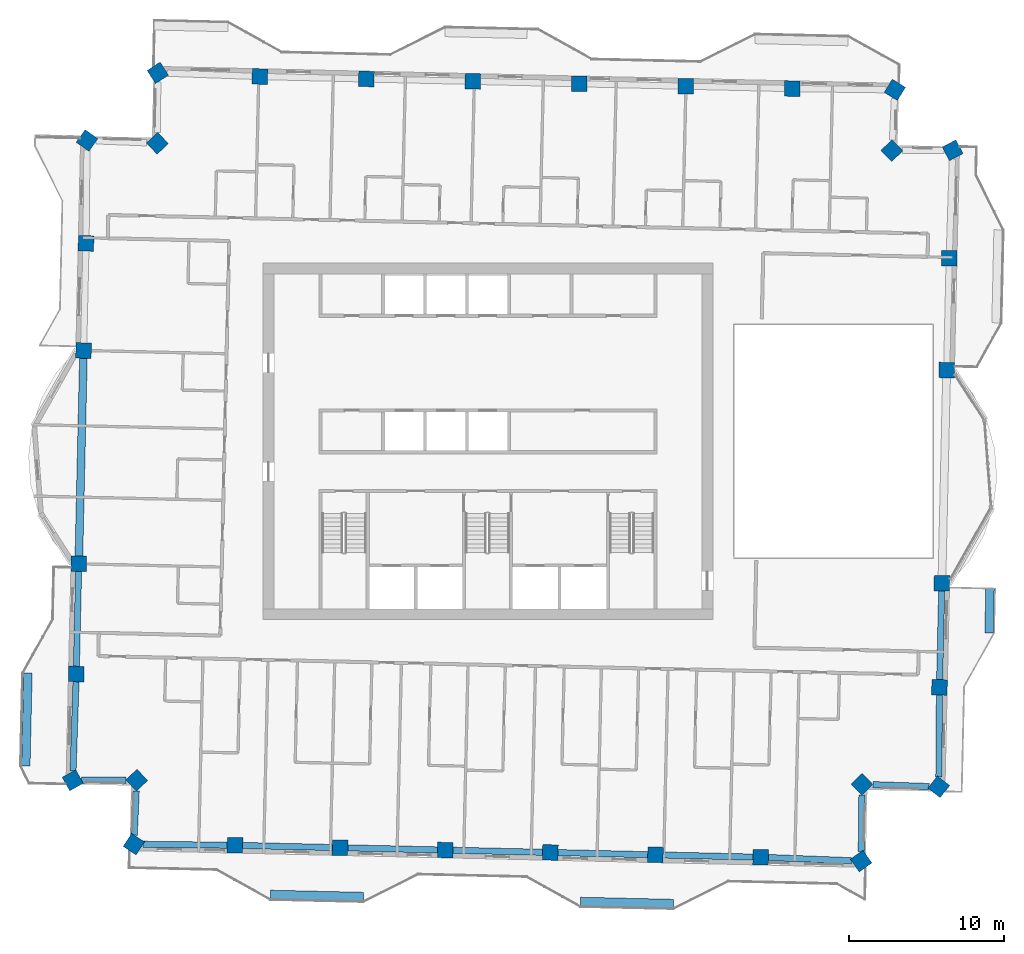
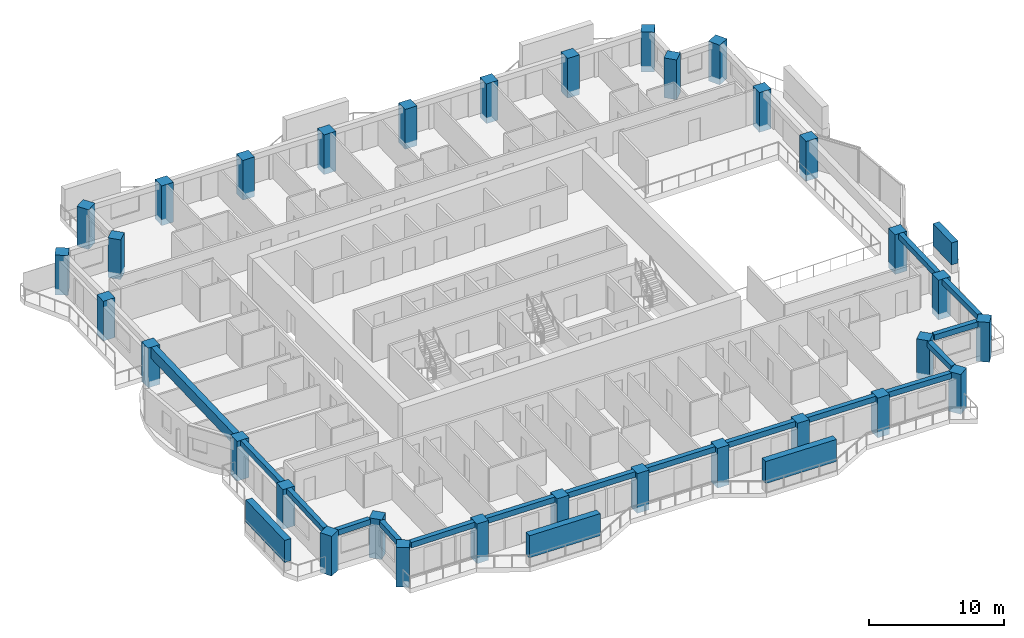
# One storey, part 1 of 17: 32 columns, 16 beams, 4 members.
"""IFC4 building model written with IfcOpenShell, lengths in metres."""

from ifc_helpers import new_model, si_unit, direction, frame, origin, origin_2d, place, context, subcontext, project, spatial, rectangle, extrude, material, material_profile, profile_set, type_object, element, save


model = new_model("IFC4")

# Units and contexts
model_context = context("Model", 3, precision=1e-05, world=origin(), true_north=direction((0.0, 1.0)))
body_context = subcontext(model_context, "Body", "Model", "MODEL_VIEW")
ifc_project = project(units=[si_unit("LENGTHUNIT", "METRE"), si_unit("AREAUNIT", "SQUARE_METRE"), si_unit("VOLUMEUNIT", "CUBIC_METRE"), si_unit("PLANEANGLEUNIT", "RADIAN"), si_unit("MASSUNIT", "GRAM", prefix="KILO")], contexts=[model_context])

# Site, building, storey
site_placement = place(None, origin())
site = spatial("IfcSite", under=ifc_project, at=site_placement, CompositionType="ELEMENT")
building_placement = place(site_placement, origin())
building = spatial("IfcBuilding", under=site, at=building_placement, Name="Mangrove Gate Tower", CompositionType="ELEMENT")
storey_placement = place(building_placement, frame((0.0, 0.0, 260.89990234375)))
storey = spatial("IfcBuildingStorey", under=building, at=storey_placement, Name="L66", CompositionType="ELEMENT", Elevation=260.89990234375)

# Columns
ifc_material_1 = material(Name="Concrete C60/75", Category="concrete")
ifc_material_profile_1 = material_profile(ifc_material_1, rectangle(XDim=1.0, YDim=1.0, at=origin_2d()))
ifc_profile_set_1 = profile_set([ifc_material_profile_1], Name="Concrete C60/75")
column_type = type_object("IfcColumnType", Name="Column RC 1000x1000 C60/75", PredefinedType="COLUMN", material=ifc_profile_set_1)
for number, where, z_axis, x_axis, name in (
    (1, (-26.385009765625, -7.892333984375, -0.5498046875), (0.0, 0.0, 1.0), (-0.022672414846, -0.999742947765, 0.0), "Column L66 W05"),
    (2, (-26.546142578125, -15.002197265625, -0.5498046875), (0.0, 0.0, 1.0), (-0.022636766921, -0.999743755561, 0.0), "Column L66 W06"),
    (3, (-26.770751953125, -21.857666015625, -0.5498046875), (0.0, 0.0, 1.0), (0.488846659431, -0.872369728706, 0.0), "Column L66 W07"),
    (4, (-22.646484375, -21.8515625, -0.5498046875), (0.0, 0.0, 1.0), (0.690844076144, -0.723003777622, 0.0), "Column L66 W08"),
    (5, (-22.8310546875, -25.97705078125, -0.5498046875), (0.0, 0.0, 1.0), (0.837962090781, -0.545728443838, 0.0), "Column L66 S01"),
    (6, (-16.312744140625, -26.050048828125, -0.5498046875), (0.0, 0.0, 1.0), (0.999742139886, -0.022708010396, 0.0), "Column L66 S02"),
    (7, (-9.53271484375, -26.2041015625, -0.5498046875), (0.0, 0.0, 1.0), (0.99974381087, -0.022634324086, 0.0), "Column L66 S03"),
    (8, (-2.752685546875, -26.357177734375, -0.5498046875), (0.0, 0.0, 1.0), (0.99974381087, -0.022634324086, 0.0), "Column L66 S04"),
    (9, (4.02734375, -26.51123046875, -0.5498046875), (0.0, 0.0, 1.0), (0.999742139886, -0.022708010396, 0.0), "Column L66 S05"),
    (10, (10.807373046875, -26.6650390625, -0.5498046875), (0.0, 0.0, 1.0), (0.999742139886, -0.022708010396, 0.0), "Column L66 S06"),
    (11, (17.58740234375, -26.819091796875, -0.5498046875), (0.0, 0.0, 1.0), (0.999742139886, -0.022708010396, 0.0), "Column L66 S07"),
    (12, (24.068359375, -27.06396484375, -0.5498046875), (0.0, 0.0, 1.0), (0.818120763293, 0.575046447402, 0.0), "Column L66 S08"),
    (13, (24.12353515625, -22.112548828125, -0.5498046875), (0.0, 0.0, 1.0), (0.722976563275, 0.690872556232, 0.0), "Column L66 E01"),
    (14, (29.073974609375, -22.2802734375, -0.5498046875), (0.0, 0.0, 1.0), (0.615428397343, 0.788192798586, 0.0), "Column L66 E02"),
    (15, (29.1201171875, -15.86572265625, -0.5498046875), (0.0, 0.0, 1.0), (0.022718026002, 0.999741912343, 0.0), "Column L66 E03"),
    (16, (29.273193359375, -9.154541015625, -0.5498046875), (0.0, 0.0, 1.0), (0.022723627062, 0.999741785049, 0.0), "Column L66 E04"),
    (17, (29.585205078125, 4.59228515625, -0.5498046875), (0.0, 0.0, 1.0), (0.022659642318, 0.999743237341, 0.0), "Column L66 E05"),
    (18, (29.748046875, 11.80224609375, -0.5498046875), (0.0, 0.0, 1.0), (0.0226694311, 0.999743015426, 0.0), "Column L66 E06"),
    (19, (29.96923828125, 18.76953125, -0.5498046875), (0.0, 0.0, 1.0), (-0.465021631321, 0.885299317973, 0.0), "Column L66 E07"),
    (20, (26.051513671875, 18.74658203125, -0.5498046875), (0.0, 0.0, 1.0), (-0.690925538708, 0.722925929788, 0.0), "Column L66 E08"),
    (21, (26.24267578125, 22.664794921875, -0.5498046875), (0.0, 0.0, 1.0), (-0.852456548942, 0.522798079727, 0.0), "Column L66 N01"),
    (22, (19.626708984375, 22.7470703125, -0.5498046875), (0.0, 0.0, 1.0), (-0.999741985691, 0.022714797976, 0.0), "Column L66 N02"),
    (23, (12.7607421875, 22.903076171875, -0.5498046875), (0.0, 0.0, 1.0), (-0.999741948423, 0.022716438162, 0.0), "Column L66 N03"),
    (24, (5.895751953125, 23.05908203125, -0.5498046875), (0.0, 0.0, 1.0), (-0.999741948423, 0.022716438162, 0.0), "Column L66 N04"),
    (25, (-0.97021484375, 23.215087890625, -0.5498046875), (0.0, 0.0, 1.0), (-0.999743636626, 0.022642019015, 0.0), "Column L66 N05"),
    (26, (-7.83642578125, 23.3701171875, -0.5498046875), (0.0, 0.0, 1.0), (-0.999743599083, 0.022643676653, 0.0), "Column L66 N06"),
    (27, (-14.701416015625, 23.526123046875, -0.5498046875), (0.0, 0.0, 1.0), (-0.999741948423, 0.022716438162, 0.0), "Column L66 N07"),
    (28, (-21.287353515625, 23.760498046875, -0.5498046875), (0.0, 0.0, 1.0), (-0.843247759492, -0.53752508417, 0.0), "Column L66 N08"),
    (29, (-21.314453125, 19.221435546875, -0.5498046875), (0.0, 0.0, 1.0), (-0.722988982899, -0.690859559249, 0.0), "Column L66 W01"),
    (30, (-25.84912109375, 19.401611328125, -0.5498046875), (0.0, 0.0, 1.0), (-0.572799342172, -0.819695622538, 0.0), "Column L66 W02"),
    (31, (-25.916015625, 12.765625, -0.5498046875), (0.0, 0.0, 1.0), (-0.022711552501, -0.999742059425, 0.0), "Column L66 W03"),
    (32, (-26.0732421875, 5.854736328125, -0.5498046875), (0.0, 0.0, 1.0), (-0.022697227041, -0.99974238476, 0.0), "Column L66 W04"),
):
    element("IfcColumn", number, at=place(storey_placement, frame(where, z_axis=z_axis, x_axis=x_axis)), inside=storey, type_object=column_type, Name=name, PredefinedType="COLUMN", context=body_context, shape_type="SweptSolid", body=[
        extrude(rectangle(XDim=1.0, YDim=1.0, at=origin_2d()), origin(), (0.0, 0.0, 1.0), 3.599853515625),
    ])

# Members
ifc_material_2 = material(Name="Planting on aluminium trellis", Category="aluminium")
ifc_material_profile_2 = material_profile(ifc_material_2, rectangle(XDim=0.550048828125, YDim=2.0, at=origin_2d()))
ifc_profile_set_2 = profile_set([ifc_material_profile_2], Name="Planting on aluminium trellis")
member_type = type_object("IfcMemberType", Name="Balcony greenery screen 550x2000", PredefinedType="USERDEFINED", material=ifc_profile_set_2)
member_1_placement = place(storey_placement, frame((32.31591796875, -12.35009765625, 1.800048828125), z_axis=(0.022675106248, 0.999742886725, 0.0), x_axis=(-0.999742886725, 0.022675106248, 0.0)))
element("IfcMember", 33, at=member_1_placement, inside=storey, type_object=member_type, Name="GREEN SCREEN L66 E0.1", ObjectType="PLANTING", PredefinedType="USERDEFINED", context=body_context, shape_type="SweptSolid", body=[
    extrude(rectangle(XDim=0.550048828125, YDim=2.0, at=origin_2d()), origin(), (0.0, 0.0, 1.0), 2.874755859375),
])
member_2_placement = place(storey_placement, frame((-29.797119140625, -20.94189453125, 1.800048828125), z_axis=(0.022707539383, 0.999742150584, 0.0), x_axis=(-0.999742150584, 0.022707539383, 0.0)))
element("IfcMember", 34, at=member_2_placement, inside=storey, type_object=member_type, Name="GREEN SCREEN L66 W1.1", ObjectType="PLANTING", PredefinedType="USERDEFINED", context=body_context, shape_type="SweptSolid", body=[
    extrude(rectangle(XDim=0.550048828125, YDim=2.0, at=origin_2d()), origin(), (0.0, 0.0, 1.0), 5.999267578125),
])
for number, where, z_axis, x_axis, name in (
    (35, (-14.030029296875, -29.217041015625, 1.800048828125), (0.999739477659, -0.022824916448, 0.0), (0.022824916448, 0.999739477659, 0.0), "GREEN SCREEN L66 S0.1"),
    (36, (5.965087890625, -29.6708984375, 1.800048828125), (0.999743178102, -0.022662255828, 0.0), (0.022662255828, 0.999743178102, 0.0), "GREEN SCREEN L66 S1.1"),
):
    element("IfcMember", number, at=place(storey_placement, frame(where, z_axis=z_axis, x_axis=x_axis)), inside=storey, type_object=member_type, Name=name, ObjectType="PLANTING", PredefinedType="USERDEFINED", context=body_context, shape_type="SweptSolid", body=[
        extrude(rectangle(XDim=0.550048828125, YDim=2.0, at=origin_2d()), origin(), (0.0, 0.0, 1.0), 6.00048828125),
    ])

# Beams
ifc_material_3 = material(Name="Concrete C50/60", Category="concrete")
ifc_material_profile_3 = material_profile(ifc_material_3, rectangle(XDim=0.39990234375, YDim=0.5, at=origin_2d()))
ifc_profile_set_3 = profile_set([ifc_material_profile_3], Name="Concrete C50/60")
beam_type_1 = type_object("IfcBeamType", Name="Edge beam RC 400x500 C50/60", PredefinedType="BEAM", material=ifc_profile_set_3)
beam_1_placement = place(storey_placement, frame((-26.5625, -15.502197265625, 2.800048828125), z_axis=(-0.032765815093, -0.999463056526, 0.0), x_axis=(0.999463056526, -0.032765815093, 0.0)))
element("IfcBeam", 37, at=beam_1_placement, inside=storey, type_object=beam_type_1, Name="Edge beam L66 01", PredefinedType="BEAM", context=body_context, shape_type="SweptSolid", body=[
    extrude(rectangle(XDim=0.39990234375, YDim=0.5, at=origin_2d()), origin(), (0.0, 0.0, 1.0), 5.774658203125),
])
beam_2_placement = place(storey_placement, frame((-26.1982421875, -21.856689453125, 2.800048828125), z_axis=(0.99999894783, 0.001450634193, 0.0), x_axis=(-0.001450634193, 0.99999894783, 0.0)))
element("IfcBeam", 38, at=beam_2_placement, inside=storey, type_object=beam_type_1, Name="Edge beam L66 02", PredefinedType="BEAM", context=body_context, shape_type="SweptSolid", body=[
    extrude(rectangle(XDim=0.39990234375, YDim=0.5, at=origin_2d()), origin(), (0.0, 0.0, 1.0), 2.861083984375),
])
beam_3_placement = place(storey_placement, frame((-22.677490234375, -22.54296875, 2.800048828125), z_axis=(-0.044690570426, -0.999000877334, 0.0), x_axis=(0.999000877334, -0.044690570426, 0.0)))
element("IfcBeam", 39, at=beam_3_placement, inside=storey, type_object=beam_type_1, Name="Edge beam L66 03", PredefinedType="BEAM", context=body_context, shape_type="SweptSolid", body=[
    extrude(rectangle(XDim=0.39990234375, YDim=0.5, at=origin_2d()), origin(), (0.0, 0.0, 1.0), 2.857177734375),
])
beam_4_placement = place(storey_placement, frame((-22.23876953125, -25.983642578125, 2.800048828125), z_axis=(0.999937245586, -0.011202896475, 0.0), x_axis=(0.011202896475, 0.999937245586, 0.0)))
element("IfcBeam", 40, at=beam_4_placement, inside=storey, type_object=beam_type_1, Name="Edge beam L66 04", PredefinedType="BEAM", context=body_context, shape_type="SweptSolid", body=[
    extrude(rectangle(XDim=0.39990234375, YDim=0.5, at=origin_2d()), origin(), (0.0, 0.0, 1.0), 5.42626953125),
])
for number, where, z_axis, x_axis, name in (
    (41, (-15.812744140625, -26.0615234375, 2.800048828125), (0.999741922736, -0.022717568611, 0.0), (0.022717568611, 0.999741922736, 0.0), "Edge beam L66 05"),
    (42, (-9.03271484375, -26.21533203125, 2.800048828125), (0.999744791798, -0.02259095555, 0.0), (0.02259095555, 0.999744791798, 0.0), "Edge beam L66 06"),
):
    element("IfcBeam", number, at=place(storey_placement, frame(where, z_axis=z_axis, x_axis=x_axis)), inside=storey, type_object=beam_type_1, Name=name, PredefinedType="BEAM", context=body_context, shape_type="SweptSolid", body=[
        extrude(rectangle(XDim=0.39990234375, YDim=0.5, at=origin_2d()), origin(), (0.0, 0.0, 1.0), 5.78173828125),
    ])
beam_5_placement = place(storey_placement, frame((-2.2529296875, -26.368408203125, 2.800048828125), z_axis=(0.999741944527, -0.022716609628, 0.0), x_axis=(0.022716609628, 0.999741944527, 0.0)))
element("IfcBeam", 43, at=beam_5_placement, inside=storey, type_object=beam_type_1, Name="Edge beam L66 07", PredefinedType="BEAM", context=body_context, shape_type="SweptSolid", body=[
    extrude(rectangle(XDim=0.39990234375, YDim=0.5, at=origin_2d()), origin(), (0.0, 0.0, 1.0), 5.781982421875),
])
beam_6_placement = place(storey_placement, frame((4.52734375, -26.5224609375, 2.800048828125), z_axis=(0.999741900943, -0.022718527675, 0.0), x_axis=(0.022718527675, 0.999741900943, 0.0)))
element("IfcBeam", 44, at=beam_6_placement, inside=storey, type_object=beam_type_1, Name="Edge beam L66 08", PredefinedType="BEAM", context=body_context, shape_type="SweptSolid", body=[
    extrude(rectangle(XDim=0.39990234375, YDim=0.5, at=origin_2d()), origin(), (0.0, 0.0, 1.0), 5.781494140625),
])
beam_7_placement = place(storey_placement, frame((11.30712890625, -26.676513671875, 2.800048828125), z_axis=(0.999741922736, -0.022717568611, 0.0), x_axis=(0.022717568611, 0.999741922736, 0.0)))
element("IfcBeam", 45, at=beam_7_placement, inside=storey, type_object=beam_type_1, Name="Edge beam L66 09", PredefinedType="BEAM", context=body_context, shape_type="SweptSolid", body=[
    extrude(rectangle(XDim=0.39990234375, YDim=0.5, at=origin_2d()), origin(), (0.0, 0.0, 1.0), 5.78173828125),
])
beam_8_placement = place(storey_placement, frame((18.087158203125, -26.837890625, 2.800048828125), z_axis=(0.9992861355, -0.037778557385, 0.0), x_axis=(0.037778557385, 0.9992861355, 0.0)))
element("IfcBeam", 46, at=beam_8_placement, inside=storey, type_object=beam_type_1, Name="Edge beam L66 10", PredefinedType="BEAM", context=body_context, shape_type="SweptSolid", body=[
    extrude(rectangle(XDim=0.39990234375, YDim=0.5, at=origin_2d()), origin(), (0.0, 0.0, 1.0), 5.357421875),
])
beam_9_placement = place(storey_placement, frame((24.075439453125, -26.447998046875, 2.800048828125), z_axis=(0.011076863189, 0.999938649669, 0.0), x_axis=(-0.999938649669, 0.011076863189, 0.0)))
element("IfcBeam", 47, at=beam_9_placement, inside=storey, type_object=beam_type_1, Name="Edge beam L66 11", PredefinedType="BEAM", context=body_context, shape_type="SweptSolid", body=[
    extrude(rectangle(XDim=0.39990234375, YDim=0.5, at=origin_2d()), origin(), (0.0, 0.0, 1.0), 3.63671875),
])
beam_10_placement = place(storey_placement, frame((24.822509765625, -22.13623046875, 2.800048828125), z_axis=(0.999427025766, -0.033847011221, 0.0), x_axis=(0.033847011221, 0.999427025766, 0.0)))
element("IfcBeam", 48, at=beam_10_placement, inside=storey, type_object=beam_type_1, Name="Edge beam L66 12", PredefinedType="BEAM", context=body_context, shape_type="SweptSolid", body=[
    extrude(rectangle(XDim=0.39990234375, YDim=0.5, at=origin_2d()), origin(), (0.0, 0.0, 1.0), 3.635498046875),
])
beam_11_placement = place(storey_placement, frame((29.078369140625, -21.6494140625, 2.800048828125), z_axis=(0.00720801901, 0.999974021894, 0.0), x_axis=(-0.999974021894, 0.00720801901, 0.0)))
element("IfcBeam", 49, at=beam_11_placement, inside=storey, type_object=beam_type_1, Name="Edge beam L66 13", PredefinedType="BEAM", context=body_context, shape_type="SweptSolid", body=[
    extrude(rectangle(XDim=0.39990234375, YDim=0.5, at=origin_2d()), origin(), (0.0, 0.0, 1.0), 5.283935546875),
])
beam_12_placement = place(storey_placement, frame((29.131591796875, -15.36572265625, 2.800048828125), z_axis=(0.022778681813, 0.999740532166, 0.0), x_axis=(-0.999740532166, 0.022778681813, 0.0)))
element("IfcBeam", 50, at=beam_12_placement, inside=storey, type_object=beam_type_1, Name="Edge beam L66 14", PredefinedType="BEAM", context=body_context, shape_type="SweptSolid", body=[
    extrude(rectangle(XDim=0.39990234375, YDim=0.5, at=origin_2d()), origin(), (0.0, 0.0, 1.0), 5.712646484375),
])
ifc_material_4 = material(Name="Concrete C50/60", Category="concrete")
ifc_material_profile_4 = material_profile(ifc_material_4, rectangle(XDim=0.39990234375, YDim=0.550048828125, at=origin_2d()))
ifc_profile_set_4 = profile_set([ifc_material_profile_4], Name="Concrete C50/60")
beam_type_2 = type_object("IfcBeamType", Name="Edge beam RC 400x550 C50/60", PredefinedType="BEAM", material=ifc_profile_set_4)
beam_13_placement = place(storey_placement, frame((-26.396484375, -8.39208984375, 2.775146484375), z_axis=(-0.022648815514, -0.999743482677, 0.0), x_axis=(0.999743482677, -0.022648815514, 0.0)))
element("IfcBeam", 51, at=beam_13_placement, inside=storey, type_object=beam_type_2, Name="Edge beam L66 00", PredefinedType="BEAM", context=body_context, shape_type="SweptSolid", body=[
    extrude(rectangle(XDim=0.39990234375, YDim=0.550048828125, at=origin_2d()), origin(), (0.0, 0.0, 1.0), 6.11181640625),
])
ifc_material_5 = material(Name="Concrete C50/60", Category="concrete")
ifc_material_profile_5 = material_profile(ifc_material_5, rectangle(XDim=0.5, YDim=1.0, at=origin_2d()))
ifc_profile_set_5 = profile_set([ifc_material_profile_5], Name="Concrete C50/60")
beam_type_3 = type_object("IfcBeamType", Name="Edge beam RC 500x1000 C50/60", PredefinedType="BEAM", material=ifc_profile_set_5)
beam_14_placement = place(storey_placement, frame((-26.08447265625, 5.354736328125, 2.550048828125), z_axis=(-0.022689654485, -0.999742556651, 0.0), x_axis=(0.999742556651, -0.022689654485, 0.0)))
element("IfcBeam", 52, at=beam_14_placement, inside=storey, type_object=beam_type_3, Name="Edge beam L66 31", PredefinedType="BEAM", context=body_context, shape_type="SweptSolid", body=[
    extrude(rectangle(XDim=0.5, YDim=1.0, at=origin_2d()), origin(), (0.0, 0.0, 1.0), 12.75048828125),
])

save(model, "model.ifc")
